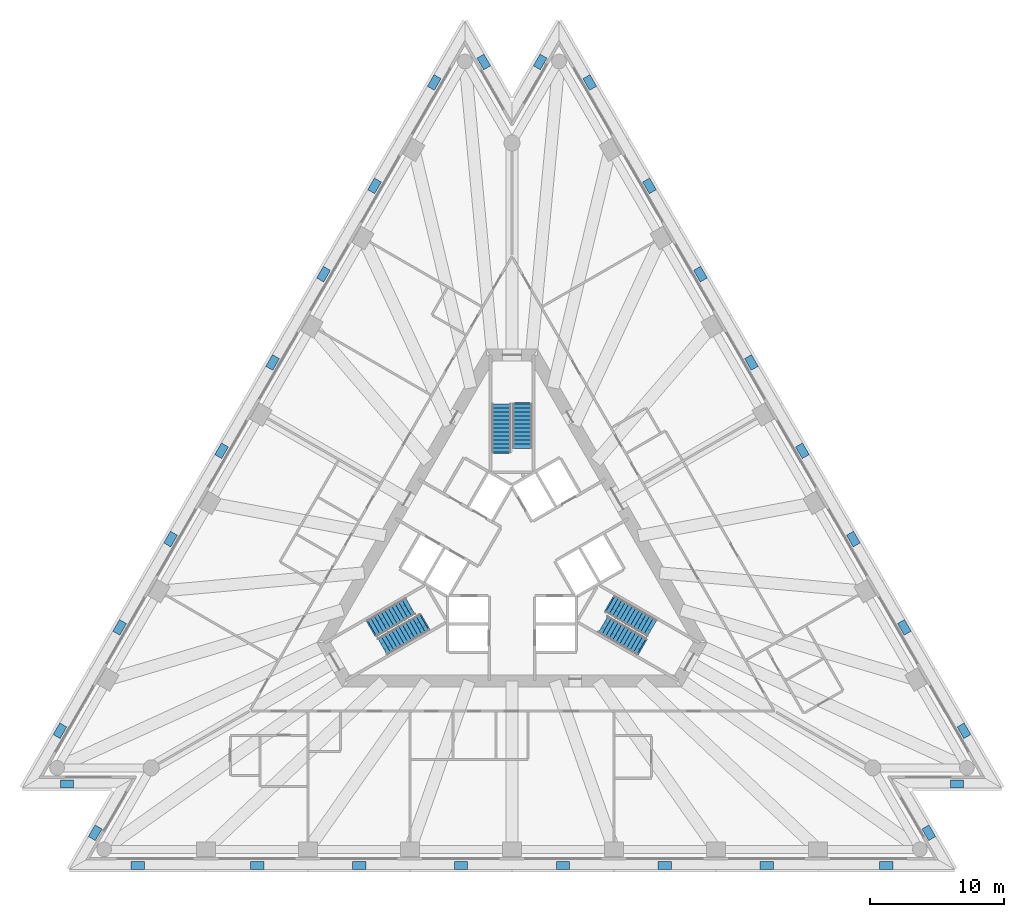
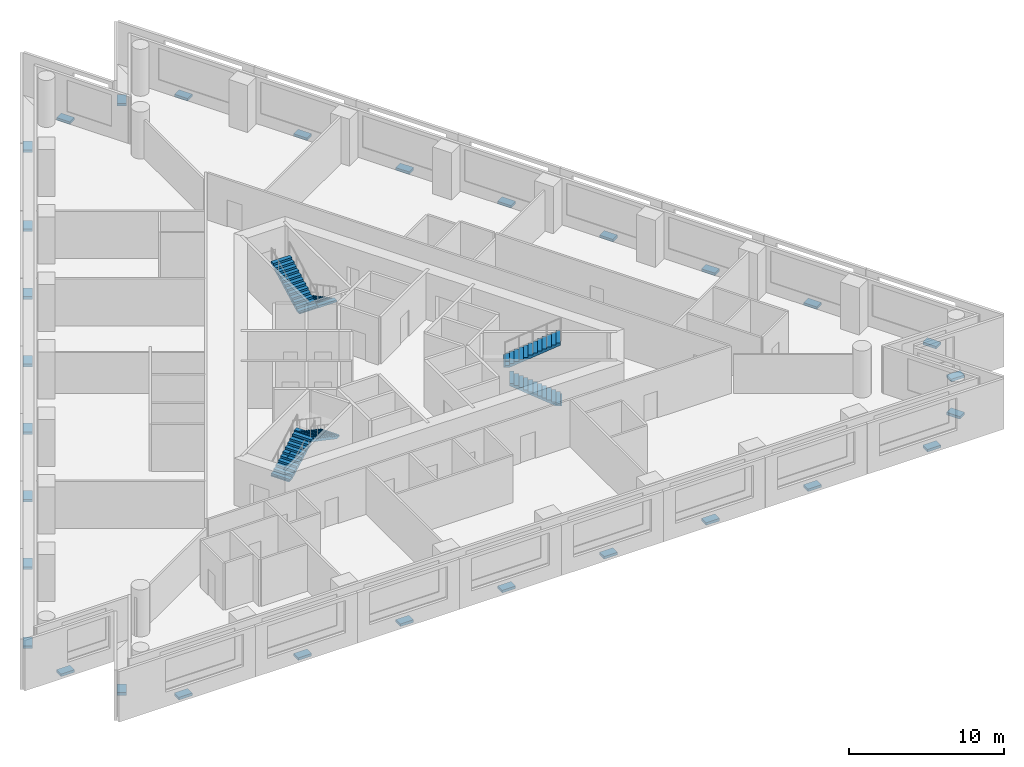
# One storey, part 9 of 11: 30 discrete accessories, 6 stair flights, 3 elements without a shape of their own.
"""IFC4 building model written with IfcOpenShell, lengths in metres."""

from ifc_helpers import new_model, si_unit, direction, frame, origin, origin_2d, place, context, subcontext, project, spatial, polyline, rectangle, outline, extrude, material, type_object, element, aggregate, save


model = new_model("IFC4")

# Units and contexts
model_context = context("Model", 3, precision=1e-05, world=origin(), true_north=direction((0.0, 1.0)))
body_context = subcontext(model_context, "Body", "Model", "MODEL_VIEW")
ifc_project = project(units=[si_unit("LENGTHUNIT", "METRE"), si_unit("AREAUNIT", "SQUARE_METRE"), si_unit("VOLUMEUNIT", "CUBIC_METRE"), si_unit("PLANEANGLEUNIT", "RADIAN"), si_unit("MASSUNIT", "GRAM", prefix="KILO")], contexts=[model_context])

# Site, building, storey
site_placement = place(None, origin())
site = spatial("IfcSite", under=ifc_project, at=site_placement, CompositionType="ELEMENT")
building_placement = place(site_placement, origin())
building = spatial("IfcBuilding", under=site, at=building_placement, Name="Triada Interchange Tower", CompositionType="ELEMENT")
storey_placement = place(building_placement, frame((0.0, 0.0, 39.300048828125)))
storey = spatial("IfcBuildingStorey", under=building, at=storey_placement, Name="L07", CompositionType="ELEMENT", Elevation=39.300048828125)

# Stair, stair flights
ifc_material_1 = material(Name="Concrete C35/45", Category="concrete")
stair_type = type_object("IfcStairType", Name="HALF TURN STAIR 1400", PredefinedType="HALF_TURN_STAIR", material=ifc_material_1)
stair_1_placement = place(storey_placement, origin())
stair_1 = element("IfcStair", 1, at=stair_1_placement, inside=storey, type_object=stair_type, Name="Exit stair S06-1", PredefinedType="HALF_TURN_STAIR")
stair_flight_type = type_object("IfcStairFlightType", Name="STRAIGHT STAIR FLIGHT 1400", PredefinedType="STRAIGHT", material=ifc_material_1)
stair_flight_1_placement = place(storey_placement, frame((0.800048828125, 11.60009765625, 0.0), z_axis=(0.0, 0.0, 1.0), x_axis=(0.0, -1.0, 0.0)))
stair_flight_1 = element("IfcStairFlight", 2, at=stair_flight_1_placement, type_object=stair_flight_type, Name="S06-1 flight 1", NumberOfRisers=12, NumberOfTreads=11, PredefinedType="STRAIGHT", RiserHeight=0.16, TreadLength=0.3, context=body_context, shape_type="SweptSolid", body=[
    extrude(outline(polyline([(-0.10009765625, 0.0), (-0.10009765625, 0.02001953125), (0.0, 0.02001953125), (0.0, 0.159912109375), (0.300048828125, 0.159912109375), (0.300048828125, 0.320068359375), (0.60009765625, 0.320068359375), (0.60009765625, 0.47998046875), (0.89990234375, 0.47998046875), (0.89990234375, 0.639892578125), (1.199951171875, 0.639892578125), (1.199951171875, 0.800048828125), (1.5, 0.800048828125), (1.5, 0.9599609375), (1.800048828125, 0.9599609375), (1.800048828125, 1.1201171875), (2.10009765625, 1.1201171875), (2.10009765625, 1.280029296875), (2.39990234375, 1.280029296875), (2.39990234375, 1.43994140625), (2.699951171875, 1.43994140625), (2.699951171875, 1.60009765625), (3.0, 1.60009765625), (3.0, 1.760009765625), (3.300048828125, 1.760009765625), (3.303955078125, 1.760009765625), (3.303955078125, 1.919921875), (3.303955078125, 1.590087890625), (0.318603515625, 0.0), (-0.10009765625, 0.0)])), frame((0.0, 0.699951171875, 0.0), z_axis=(0.0, -1.0, 0.0), x_axis=(1.0, 0.0, 0.0)), (0.0, 0.0, 1.0), 0.46533203125),
    extrude(outline(polyline([(-0.10009765625, 0.0), (-0.10009765625, 0.02001953125), (0.0, 0.02001953125), (0.0, 0.159912109375), (0.300048828125, 0.159912109375), (0.300048828125, 0.320068359375), (0.60009765625, 0.320068359375), (0.60009765625, 0.47998046875), (0.89990234375, 0.47998046875), (0.89990234375, 0.639892578125), (1.199951171875, 0.639892578125), (1.199951171875, 0.800048828125), (1.5, 0.800048828125), (1.5, 0.9599609375), (1.800048828125, 0.9599609375), (1.800048828125, 1.1201171875), (2.10009765625, 1.1201171875), (2.10009765625, 1.280029296875), (2.39990234375, 1.280029296875), (2.39990234375, 1.43994140625), (2.699951171875, 1.43994140625), (2.699951171875, 1.60009765625), (3.0, 1.60009765625), (3.0, 1.760009765625), (3.300048828125, 1.760009765625), (3.303955078125, 1.760009765625), (3.303955078125, 1.919921875), (3.303955078125, 1.590087890625), (0.318603515625, 0.0), (-0.10009765625, 0.0)])), frame((0.0, 0.232666015625, 0.0), z_axis=(0.0, -1.0, 0.0), x_axis=(1.0, 0.0, 0.0)), (0.0, 0.0, 1.0), 0.46533203125),
    extrude(outline(polyline([(-0.10009765625, 0.0), (-0.10009765625, 0.02001953125), (0.0, 0.02001953125), (0.0, 0.159912109375), (0.300048828125, 0.159912109375), (0.300048828125, 0.320068359375), (0.60009765625, 0.320068359375), (0.60009765625, 0.47998046875), (0.89990234375, 0.47998046875), (0.89990234375, 0.639892578125), (1.199951171875, 0.639892578125), (1.199951171875, 0.800048828125), (1.5, 0.800048828125), (1.5, 0.9599609375), (1.800048828125, 0.9599609375), (1.800048828125, 1.1201171875), (2.10009765625, 1.1201171875), (2.10009765625, 1.280029296875), (2.39990234375, 1.280029296875), (2.39990234375, 1.43994140625), (2.699951171875, 1.43994140625), (2.699951171875, 1.60009765625), (3.0, 1.60009765625), (3.0, 1.760009765625), (3.300048828125, 1.760009765625), (3.303955078125, 1.760009765625), (3.303955078125, 1.919921875), (3.303955078125, 1.590087890625), (0.318603515625, 0.0), (-0.10009765625, 0.0)])), frame((0.0, -0.234619140625, 0.0), z_axis=(0.0, -1.0, 0.0), x_axis=(1.0, 0.0, 0.0)), (0.0, 0.0, 1.0), 0.46533203125),
])
stair_flight_2_placement = place(storey_placement, frame((-0.800048828125, 8.0, 1.919921875), z_axis=(0.0, 0.0, 1.0), x_axis=(0.0, 1.0, 0.0)))
stair_flight_2 = element("IfcStairFlight", 3, at=stair_flight_2_placement, type_object=stair_flight_type, Name="S06-1 flight 2", NumberOfRisers=13, NumberOfTreads=12, PredefinedType="STRAIGHT", RiserHeight=0.16, TreadLength=0.3, context=body_context, shape_type="SweptSolid", body=[
    extrude(outline(polyline([(-0.10009765625, 0.0), (-0.10009765625, 0.02001953125), (0.0, 0.02001953125), (0.0, 0.159912109375), (0.300048828125, 0.159912109375), (0.300048828125, 0.320068359375), (0.60009765625, 0.320068359375), (0.60009765625, 0.47998046875), (0.89990234375, 0.47998046875), (0.89990234375, 0.639892578125), (1.199951171875, 0.639892578125), (1.199951171875, 0.800048828125), (1.5, 0.800048828125), (1.5, 0.9599609375), (1.800048828125, 0.9599609375), (1.800048828125, 1.1201171875), (2.10009765625, 1.1201171875), (2.10009765625, 1.280029296875), (2.39990234375, 1.280029296875), (2.39990234375, 1.43994140625), (2.699951171875, 1.43994140625), (2.699951171875, 1.60009765625), (3.0, 1.60009765625), (3.0, 1.760009765625), (3.300048828125, 1.760009765625), (3.300048828125, 1.919921875), (3.60009765625, 1.919921875), (3.60400390625, 1.919921875), (3.60400390625, 2.080078125), (3.60400390625, 1.75), (0.318603515625, 0.0), (-0.10009765625, 0.0)])), frame((0.0, 0.699951171875, 0.0), z_axis=(0.0, -1.0, 0.0), x_axis=(1.0, 0.0, 0.0)), (0.0, 0.0, 1.0), 0.46533203125),
    extrude(outline(polyline([(-0.10009765625, 0.0), (-0.10009765625, 0.02001953125), (0.0, 0.02001953125), (0.0, 0.159912109375), (0.300048828125, 0.159912109375), (0.300048828125, 0.320068359375), (0.60009765625, 0.320068359375), (0.60009765625, 0.47998046875), (0.89990234375, 0.47998046875), (0.89990234375, 0.639892578125), (1.199951171875, 0.639892578125), (1.199951171875, 0.800048828125), (1.5, 0.800048828125), (1.5, 0.9599609375), (1.800048828125, 0.9599609375), (1.800048828125, 1.1201171875), (2.10009765625, 1.1201171875), (2.10009765625, 1.280029296875), (2.39990234375, 1.280029296875), (2.39990234375, 1.43994140625), (2.699951171875, 1.43994140625), (2.699951171875, 1.60009765625), (3.0, 1.60009765625), (3.0, 1.760009765625), (3.300048828125, 1.760009765625), (3.300048828125, 1.919921875), (3.60009765625, 1.919921875), (3.60400390625, 1.919921875), (3.60400390625, 2.080078125), (3.60400390625, 1.75), (0.318603515625, 0.0), (-0.10009765625, 0.0)])), frame((0.0, 0.232666015625, 0.0), z_axis=(0.0, -1.0, 0.0), x_axis=(1.0, 0.0, 0.0)), (0.0, 0.0, 1.0), 0.46533203125),
    extrude(outline(polyline([(-0.10009765625, 0.0), (-0.10009765625, 0.02001953125), (0.0, 0.02001953125), (0.0, 0.159912109375), (0.300048828125, 0.159912109375), (0.300048828125, 0.320068359375), (0.60009765625, 0.320068359375), (0.60009765625, 0.47998046875), (0.89990234375, 0.47998046875), (0.89990234375, 0.639892578125), (1.199951171875, 0.639892578125), (1.199951171875, 0.800048828125), (1.5, 0.800048828125), (1.5, 0.9599609375), (1.800048828125, 0.9599609375), (1.800048828125, 1.1201171875), (2.10009765625, 1.1201171875), (2.10009765625, 1.280029296875), (2.39990234375, 1.280029296875), (2.39990234375, 1.43994140625), (2.699951171875, 1.43994140625), (2.699951171875, 1.60009765625), (3.0, 1.60009765625), (3.0, 1.760009765625), (3.300048828125, 1.760009765625), (3.300048828125, 1.919921875), (3.60009765625, 1.919921875), (3.60400390625, 1.919921875), (3.60400390625, 2.080078125), (3.60400390625, 1.75), (0.318603515625, 0.0), (-0.10009765625, 0.0)])), frame((0.0, -0.234619140625, 0.0), z_axis=(0.0, -1.0, 0.0), x_axis=(1.0, 0.0, 0.0)), (0.0, 0.0, 1.0), 0.46533203125),
])
aggregate(stair_1, [stair_flight_1, stair_flight_2])

stair_2_placement = place(storey_placement, origin())
stair_2 = element("IfcStair", 4, at=stair_2_placement, inside=storey, type_object=stair_type, Name="Exit stair S06-2", PredefinedType="HALF_TURN_STAIR")
stair_flight_3_placement = place(storey_placement, frame((-10.446044921875, -5.10693359375, 0.0), z_axis=(0.0, 0.0, 1.0), x_axis=(0.866025403784, 0.5, 0.0)))
stair_flight_3 = element("IfcStairFlight", 5, at=stair_flight_3_placement, type_object=stair_flight_type, Name="S06-2 flight 1", NumberOfRisers=12, NumberOfTreads=11, PredefinedType="STRAIGHT", RiserHeight=0.16, TreadLength=0.3, context=body_context, shape_type="SweptSolid", body=[
    extrude(outline(polyline([(-0.10009765625, 0.0), (-0.10009765625, 0.02001953125), (0.0, 0.02001953125), (0.0, 0.159912109375), (0.300048828125, 0.159912109375), (0.300048828125, 0.320068359375), (0.60009765625, 0.320068359375), (0.60009765625, 0.47998046875), (0.89990234375, 0.47998046875), (0.89990234375, 0.639892578125), (1.199951171875, 0.639892578125), (1.199951171875, 0.800048828125), (1.5, 0.800048828125), (1.5, 0.9599609375), (1.800048828125, 0.9599609375), (1.800048828125, 1.1201171875), (2.10009765625, 1.1201171875), (2.10009765625, 1.280029296875), (2.39990234375, 1.280029296875), (2.39990234375, 1.43994140625), (2.699951171875, 1.43994140625), (2.699951171875, 1.60009765625), (3.0, 1.60009765625), (3.0, 1.760009765625), (3.300048828125, 1.760009765625), (3.303955078125, 1.760009765625), (3.303955078125, 1.919921875), (3.303955078125, 1.590087890625), (0.318603515625, 0.0), (-0.10009765625, 0.0)])), frame((0.0, 0.699951171875, 0.0), z_axis=(0.0, -1.0, 0.0), x_axis=(1.0, 0.0, 0.0)), (0.0, 0.0, 1.0), 0.46533203125),
    extrude(outline(polyline([(-0.10009765625, 0.0), (-0.10009765625, 0.02001953125), (0.0, 0.02001953125), (0.0, 0.159912109375), (0.300048828125, 0.159912109375), (0.300048828125, 0.320068359375), (0.60009765625, 0.320068359375), (0.60009765625, 0.47998046875), (0.89990234375, 0.47998046875), (0.89990234375, 0.639892578125), (1.199951171875, 0.639892578125), (1.199951171875, 0.800048828125), (1.5, 0.800048828125), (1.5, 0.9599609375), (1.800048828125, 0.9599609375), (1.800048828125, 1.1201171875), (2.10009765625, 1.1201171875), (2.10009765625, 1.280029296875), (2.39990234375, 1.280029296875), (2.39990234375, 1.43994140625), (2.699951171875, 1.43994140625), (2.699951171875, 1.60009765625), (3.0, 1.60009765625), (3.0, 1.760009765625), (3.300048828125, 1.760009765625), (3.303955078125, 1.760009765625), (3.303955078125, 1.919921875), (3.303955078125, 1.590087890625), (0.318603515625, 0.0), (-0.10009765625, 0.0)])), frame((0.0, 0.232666015625, 0.0), z_axis=(0.0, -1.0, 0.0), x_axis=(1.0, 0.0, 0.0)), (0.0, 0.0, 1.0), 0.46533203125),
    extrude(outline(polyline([(-0.10009765625, 0.0), (-0.10009765625, 0.02001953125), (0.0, 0.02001953125), (0.0, 0.159912109375), (0.300048828125, 0.159912109375), (0.300048828125, 0.320068359375), (0.60009765625, 0.320068359375), (0.60009765625, 0.47998046875), (0.89990234375, 0.47998046875), (0.89990234375, 0.639892578125), (1.199951171875, 0.639892578125), (1.199951171875, 0.800048828125), (1.5, 0.800048828125), (1.5, 0.9599609375), (1.800048828125, 0.9599609375), (1.800048828125, 1.1201171875), (2.10009765625, 1.1201171875), (2.10009765625, 1.280029296875), (2.39990234375, 1.280029296875), (2.39990234375, 1.43994140625), (2.699951171875, 1.43994140625), (2.699951171875, 1.60009765625), (3.0, 1.60009765625), (3.0, 1.760009765625), (3.300048828125, 1.760009765625), (3.303955078125, 1.760009765625), (3.303955078125, 1.919921875), (3.303955078125, 1.590087890625), (0.318603515625, 0.0), (-0.10009765625, 0.0)])), frame((0.0, -0.234619140625, 0.0), z_axis=(0.0, -1.0, 0.0), x_axis=(1.0, 0.0, 0.0)), (0.0, 0.0, 1.0), 0.46533203125),
])
stair_flight_4_placement = place(storey_placement, frame((-6.528076171875, -4.693115234375, 1.919921875), z_axis=(0.0, 0.0, 1.0), x_axis=(-0.866025403784, -0.5, 0.0)))
stair_flight_4 = element("IfcStairFlight", 6, at=stair_flight_4_placement, type_object=stair_flight_type, Name="S06-2 flight 2", NumberOfRisers=13, NumberOfTreads=12, PredefinedType="STRAIGHT", RiserHeight=0.16, TreadLength=0.3, context=body_context, shape_type="SweptSolid", body=[
    extrude(outline(polyline([(-0.10009765625, 0.0), (-0.10009765625, 0.02001953125), (0.0, 0.02001953125), (0.0, 0.159912109375), (0.300048828125, 0.159912109375), (0.300048828125, 0.320068359375), (0.60009765625, 0.320068359375), (0.60009765625, 0.47998046875), (0.89990234375, 0.47998046875), (0.89990234375, 0.639892578125), (1.199951171875, 0.639892578125), (1.199951171875, 0.800048828125), (1.5, 0.800048828125), (1.5, 0.9599609375), (1.800048828125, 0.9599609375), (1.800048828125, 1.1201171875), (2.10009765625, 1.1201171875), (2.10009765625, 1.280029296875), (2.39990234375, 1.280029296875), (2.39990234375, 1.43994140625), (2.699951171875, 1.43994140625), (2.699951171875, 1.60009765625), (3.0, 1.60009765625), (3.0, 1.760009765625), (3.300048828125, 1.760009765625), (3.300048828125, 1.919921875), (3.60009765625, 1.919921875), (3.60400390625, 1.919921875), (3.60400390625, 2.080078125), (3.60400390625, 1.75), (0.318603515625, 0.0), (-0.10009765625, 0.0)])), frame((0.0, 0.699951171875, 0.0), z_axis=(0.0, -1.0, 0.0), x_axis=(1.0, 0.0, 0.0)), (0.0, 0.0, 1.0), 0.46533203125),
    extrude(outline(polyline([(-0.10009765625, 0.0), (-0.10009765625, 0.02001953125), (0.0, 0.02001953125), (0.0, 0.159912109375), (0.300048828125, 0.159912109375), (0.300048828125, 0.320068359375), (0.60009765625, 0.320068359375), (0.60009765625, 0.47998046875), (0.89990234375, 0.47998046875), (0.89990234375, 0.639892578125), (1.199951171875, 0.639892578125), (1.199951171875, 0.800048828125), (1.5, 0.800048828125), (1.5, 0.9599609375), (1.800048828125, 0.9599609375), (1.800048828125, 1.1201171875), (2.10009765625, 1.1201171875), (2.10009765625, 1.280029296875), (2.39990234375, 1.280029296875), (2.39990234375, 1.43994140625), (2.699951171875, 1.43994140625), (2.699951171875, 1.60009765625), (3.0, 1.60009765625), (3.0, 1.760009765625), (3.300048828125, 1.760009765625), (3.300048828125, 1.919921875), (3.60009765625, 1.919921875), (3.60400390625, 1.919921875), (3.60400390625, 2.080078125), (3.60400390625, 1.75), (0.318603515625, 0.0), (-0.10009765625, 0.0)])), frame((0.0, 0.232666015625, 0.0), z_axis=(0.0, -1.0, 0.0), x_axis=(1.0, 0.0, 0.0)), (0.0, 0.0, 1.0), 0.46533203125),
    extrude(outline(polyline([(-0.10009765625, 0.0), (-0.10009765625, 0.02001953125), (0.0, 0.02001953125), (0.0, 0.159912109375), (0.300048828125, 0.159912109375), (0.300048828125, 0.320068359375), (0.60009765625, 0.320068359375), (0.60009765625, 0.47998046875), (0.89990234375, 0.47998046875), (0.89990234375, 0.639892578125), (1.199951171875, 0.639892578125), (1.199951171875, 0.800048828125), (1.5, 0.800048828125), (1.5, 0.9599609375), (1.800048828125, 0.9599609375), (1.800048828125, 1.1201171875), (2.10009765625, 1.1201171875), (2.10009765625, 1.280029296875), (2.39990234375, 1.280029296875), (2.39990234375, 1.43994140625), (2.699951171875, 1.43994140625), (2.699951171875, 1.60009765625), (3.0, 1.60009765625), (3.0, 1.760009765625), (3.300048828125, 1.760009765625), (3.300048828125, 1.919921875), (3.60009765625, 1.919921875), (3.60400390625, 1.919921875), (3.60400390625, 2.080078125), (3.60400390625, 1.75), (0.318603515625, 0.0), (-0.10009765625, 0.0)])), frame((0.0, -0.234619140625, 0.0), z_axis=(0.0, -1.0, 0.0), x_axis=(1.0, 0.0, 0.0)), (0.0, 0.0, 1.0), 0.46533203125),
])
aggregate(stair_2, [stair_flight_3, stair_flight_4])

stair_3_placement = place(storey_placement, origin())
stair_3 = element("IfcStair", 7, at=stair_3_placement, inside=storey, type_object=stair_type, Name="Exit stair S06-3", PredefinedType="HALF_TURN_STAIR")
stair_flight_5_placement = place(storey_placement, frame((9.64599609375, -6.492919921875, 0.0), z_axis=(0.0, 0.0, 1.0), x_axis=(-0.866025403784, 0.5, 0.0)))
stair_flight_5 = element("IfcStairFlight", 8, at=stair_flight_5_placement, type_object=stair_flight_type, Name="S06-3 flight 1", NumberOfRisers=12, NumberOfTreads=11, PredefinedType="STRAIGHT", RiserHeight=0.16, TreadLength=0.3, context=body_context, shape_type="SweptSolid", body=[
    extrude(outline(polyline([(-0.10009765625, 0.0), (-0.10009765625, 0.02001953125), (0.0, 0.02001953125), (0.0, 0.159912109375), (0.300048828125, 0.159912109375), (0.300048828125, 0.320068359375), (0.60009765625, 0.320068359375), (0.60009765625, 0.47998046875), (0.89990234375, 0.47998046875), (0.89990234375, 0.639892578125), (1.199951171875, 0.639892578125), (1.199951171875, 0.800048828125), (1.5, 0.800048828125), (1.5, 0.9599609375), (1.800048828125, 0.9599609375), (1.800048828125, 1.1201171875), (2.10009765625, 1.1201171875), (2.10009765625, 1.280029296875), (2.39990234375, 1.280029296875), (2.39990234375, 1.43994140625), (2.699951171875, 1.43994140625), (2.699951171875, 1.60009765625), (3.0, 1.60009765625), (3.0, 1.760009765625), (3.300048828125, 1.760009765625), (3.303955078125, 1.760009765625), (3.303955078125, 1.919921875), (3.303955078125, 1.590087890625), (0.318603515625, 0.0), (-0.10009765625, 0.0)])), frame((0.0, 0.699951171875, 0.0), z_axis=(0.0, -1.0, 0.0), x_axis=(1.0, 0.0, 0.0)), (0.0, 0.0, 1.0), 0.46533203125),
    extrude(outline(polyline([(-0.10009765625, 0.0), (-0.10009765625, 0.02001953125), (0.0, 0.02001953125), (0.0, 0.159912109375), (0.300048828125, 0.159912109375), (0.300048828125, 0.320068359375), (0.60009765625, 0.320068359375), (0.60009765625, 0.47998046875), (0.89990234375, 0.47998046875), (0.89990234375, 0.639892578125), (1.199951171875, 0.639892578125), (1.199951171875, 0.800048828125), (1.5, 0.800048828125), (1.5, 0.9599609375), (1.800048828125, 0.9599609375), (1.800048828125, 1.1201171875), (2.10009765625, 1.1201171875), (2.10009765625, 1.280029296875), (2.39990234375, 1.280029296875), (2.39990234375, 1.43994140625), (2.699951171875, 1.43994140625), (2.699951171875, 1.60009765625), (3.0, 1.60009765625), (3.0, 1.760009765625), (3.300048828125, 1.760009765625), (3.303955078125, 1.760009765625), (3.303955078125, 1.919921875), (3.303955078125, 1.590087890625), (0.318603515625, 0.0), (-0.10009765625, 0.0)])), frame((0.0, 0.232666015625, 0.0), z_axis=(0.0, -1.0, 0.0), x_axis=(1.0, 0.0, 0.0)), (0.0, 0.0, 1.0), 0.46533203125),
    extrude(outline(polyline([(-0.10009765625, 0.0), (-0.10009765625, 0.02001953125), (0.0, 0.02001953125), (0.0, 0.159912109375), (0.300048828125, 0.159912109375), (0.300048828125, 0.320068359375), (0.60009765625, 0.320068359375), (0.60009765625, 0.47998046875), (0.89990234375, 0.47998046875), (0.89990234375, 0.639892578125), (1.199951171875, 0.639892578125), (1.199951171875, 0.800048828125), (1.5, 0.800048828125), (1.5, 0.9599609375), (1.800048828125, 0.9599609375), (1.800048828125, 1.1201171875), (2.10009765625, 1.1201171875), (2.10009765625, 1.280029296875), (2.39990234375, 1.280029296875), (2.39990234375, 1.43994140625), (2.699951171875, 1.43994140625), (2.699951171875, 1.60009765625), (3.0, 1.60009765625), (3.0, 1.760009765625), (3.300048828125, 1.760009765625), (3.303955078125, 1.760009765625), (3.303955078125, 1.919921875), (3.303955078125, 1.590087890625), (0.318603515625, 0.0), (-0.10009765625, 0.0)])), frame((0.0, -0.234619140625, 0.0), z_axis=(0.0, -1.0, 0.0), x_axis=(1.0, 0.0, 0.0)), (0.0, 0.0, 1.0), 0.46533203125),
])
stair_flight_6_placement = place(storey_placement, frame((7.327880859375, -3.306884765625, 1.919921875), z_axis=(0.0, 0.0, 1.0), x_axis=(0.866025403784, -0.5, 0.0)))
stair_flight_6 = element("IfcStairFlight", 9, at=stair_flight_6_placement, type_object=stair_flight_type, Name="S06-3 flight 2", NumberOfRisers=13, NumberOfTreads=12, PredefinedType="STRAIGHT", RiserHeight=0.16, TreadLength=0.3, context=body_context, shape_type="SweptSolid", body=[
    extrude(outline(polyline([(-0.10009765625, 0.0), (-0.10009765625, 0.02001953125), (0.0, 0.02001953125), (0.0, 0.159912109375), (0.300048828125, 0.159912109375), (0.300048828125, 0.320068359375), (0.60009765625, 0.320068359375), (0.60009765625, 0.47998046875), (0.89990234375, 0.47998046875), (0.89990234375, 0.639892578125), (1.199951171875, 0.639892578125), (1.199951171875, 0.800048828125), (1.5, 0.800048828125), (1.5, 0.9599609375), (1.800048828125, 0.9599609375), (1.800048828125, 1.1201171875), (2.10009765625, 1.1201171875), (2.10009765625, 1.280029296875), (2.39990234375, 1.280029296875), (2.39990234375, 1.43994140625), (2.699951171875, 1.43994140625), (2.699951171875, 1.60009765625), (3.0, 1.60009765625), (3.0, 1.760009765625), (3.300048828125, 1.760009765625), (3.300048828125, 1.919921875), (3.60009765625, 1.919921875), (3.60400390625, 1.919921875), (3.60400390625, 2.080078125), (3.60400390625, 1.75), (0.318603515625, 0.0), (-0.10009765625, 0.0)])), frame((0.0, 0.699951171875, 0.0), z_axis=(0.0, -1.0, 0.0), x_axis=(1.0, 0.0, 0.0)), (0.0, 0.0, 1.0), 0.46533203125),
    extrude(outline(polyline([(-0.10009765625, 0.0), (-0.10009765625, 0.02001953125), (0.0, 0.02001953125), (0.0, 0.159912109375), (0.300048828125, 0.159912109375), (0.300048828125, 0.320068359375), (0.60009765625, 0.320068359375), (0.60009765625, 0.47998046875), (0.89990234375, 0.47998046875), (0.89990234375, 0.639892578125), (1.199951171875, 0.639892578125), (1.199951171875, 0.800048828125), (1.5, 0.800048828125), (1.5, 0.9599609375), (1.800048828125, 0.9599609375), (1.800048828125, 1.1201171875), (2.10009765625, 1.1201171875), (2.10009765625, 1.280029296875), (2.39990234375, 1.280029296875), (2.39990234375, 1.43994140625), (2.699951171875, 1.43994140625), (2.699951171875, 1.60009765625), (3.0, 1.60009765625), (3.0, 1.760009765625), (3.300048828125, 1.760009765625), (3.300048828125, 1.919921875), (3.60009765625, 1.919921875), (3.60400390625, 1.919921875), (3.60400390625, 2.080078125), (3.60400390625, 1.75), (0.318603515625, 0.0), (-0.10009765625, 0.0)])), frame((0.0, 0.232666015625, 0.0), z_axis=(0.0, -1.0, 0.0), x_axis=(1.0, 0.0, 0.0)), (0.0, 0.0, 1.0), 0.46533203125),
    extrude(outline(polyline([(-0.10009765625, 0.0), (-0.10009765625, 0.02001953125), (0.0, 0.02001953125), (0.0, 0.159912109375), (0.300048828125, 0.159912109375), (0.300048828125, 0.320068359375), (0.60009765625, 0.320068359375), (0.60009765625, 0.47998046875), (0.89990234375, 0.47998046875), (0.89990234375, 0.639892578125), (1.199951171875, 0.639892578125), (1.199951171875, 0.800048828125), (1.5, 0.800048828125), (1.5, 0.9599609375), (1.800048828125, 0.9599609375), (1.800048828125, 1.1201171875), (2.10009765625, 1.1201171875), (2.10009765625, 1.280029296875), (2.39990234375, 1.280029296875), (2.39990234375, 1.43994140625), (2.699951171875, 1.43994140625), (2.699951171875, 1.60009765625), (3.0, 1.60009765625), (3.0, 1.760009765625), (3.300048828125, 1.760009765625), (3.300048828125, 1.919921875), (3.60009765625, 1.919921875), (3.60400390625, 1.919921875), (3.60400390625, 2.080078125), (3.60400390625, 1.75), (0.318603515625, 0.0), (-0.10009765625, 0.0)])), frame((0.0, -0.234619140625, 0.0), z_axis=(0.0, -1.0, 0.0), x_axis=(1.0, 0.0, 0.0)), (0.0, 0.0, 1.0), 0.46533203125),
])
aggregate(stair_3, [stair_flight_5, stair_flight_6])

# Discrete accessories
ifc_material_2 = material(Name="Steel S355", Category="steel")
discrete_accessory_type = type_object("IfcDiscreteAccessoryType", Name="Steel bracket outer skin", PredefinedType="BRACKET", material=ifc_material_2)
for number, where, z_axis, x_axis, name in (
    (10, (-5.797119140625, 35.55908203125, -0.27001953125), (0.0, 0.0, 1.0), (-0.866020918253, 0.500007769087, 0.0), "Bracket L07 01"),
    (11, (-10.24609375, 27.85302734375, -0.27001953125), (0.0, 0.0, 1.0), (-0.866020918253, 0.500007769087, 0.0), "Bracket L07 02"),
    (12, (-14.0458984375, 21.27197265625, -0.27001953125), (0.0, 0.0, 1.0), (-0.866020918253, 0.500007769087, 0.0), "Bracket L07 03"),
    (13, (-17.844970703125, 14.69091796875, -0.27001953125), (0.0, 0.0, 1.0), (-0.866020918253, 0.500007769087, 0.0), "Bracket L07 04"),
    (14, (-21.64501953125, 8.10888671875, -0.27001953125), (0.0, 0.0, 1.0), (-0.866020918253, 0.500007769087, 0.0), "Bracket L07 05"),
    (15, (-25.445068359375, 1.528076171875, -0.27001953125), (0.0, 0.0, 1.0), (-0.866020918253, 0.500007769087, 0.0), "Bracket L07 06"),
    (16, (-29.2451171875, -5.052978515625, -0.27001953125), (0.0, 0.0, 1.0), (-0.866020918253, 0.500007769087, 0.0), "Bracket L07 07"),
    (17, (-33.694091796875, -12.759033203125, -0.27001953125), (0.0, 0.0, 1.0), (-0.866020918253, 0.500007769087, 0.0), "Bracket L07 08"),
    (18, (-33.1689453125, -16.72509765625, -0.27001953125), (0.0, 0.0, 1.0), (0.0, -1.0, 0.0), "Bracket L07 09"),
    (19, (-31.068115234375, -20.363037109375, -0.27001953125), (0.0, 0.0, 1.0), (-0.866050273655, 0.499956921647, 0.0), "Bracket L07 10"),
    (20, (-27.89599609375, -22.800048828125, -0.27001953125), (0.0, 0.0, 1.0), (0.0, -1.0, 0.0), "Bracket L07 11"),
    (21, (-18.998046875, -22.800048828125, -0.27001953125), (0.0, 0.0, 1.0), (0.0, -1.0, 0.0), "Bracket L07 12"),
    (22, (-11.39892578125, -22.800048828125, -0.27001953125), (0.0, 0.0, 1.0), (0.0, -1.0, 0.0), "Bracket L07 13"),
    (23, (-3.800048828125, -22.800048828125, -0.27001953125), (0.0, 0.0, 1.0), (0.0, -1.0, 0.0), "Bracket L07 14"),
    (24, (3.800048828125, -22.800048828125, -0.27001953125), (0.0, 0.0, 1.0), (0.0, -1.0, 0.0), "Bracket L07 15"),
    (25, (11.39892578125, -22.800048828125, -0.27001953125), (0.0, 0.0, 1.0), (0.0, -1.0, 0.0), "Bracket L07 16"),
    (26, (18.998046875, -22.800048828125, -0.27001953125), (0.0, 0.0, 1.0), (0.0, -1.0, 0.0), "Bracket L07 17"),
    (27, (27.89599609375, -22.800048828125, -0.27001953125), (0.0, 0.0, 1.0), (0.0, -1.0, 0.0), "Bracket L07 18"),
    (28, (31.068115234375, -20.363037109375, -0.27001953125), (0.0, 0.0, 1.0), (0.866050273655, 0.499956921647, 0.0), "Bracket L07 19"),
    (29, (33.1689453125, -16.72509765625, -0.27001953125), (0.0, 0.0, 1.0), (0.0, -1.0, 0.0), "Bracket L07 20"),
    (30, (33.694091796875, -12.759033203125, -0.27001953125), (0.0, 0.0, 1.0), (0.866020918253, 0.500007769087, 0.0), "Bracket L07 21"),
    (31, (29.2451171875, -5.052978515625, -0.27001953125), (0.0, 0.0, 1.0), (0.866020918253, 0.500007769087, 0.0), "Bracket L07 22"),
    (32, (25.445068359375, 1.528076171875, -0.27001953125), (0.0, 0.0, 1.0), (0.866020918253, 0.500007769087, 0.0), "Bracket L07 23"),
    (33, (21.64501953125, 8.10888671875, -0.27001953125), (0.0, 0.0, 1.0), (0.866020918253, 0.500007769087, 0.0), "Bracket L07 24"),
    (34, (17.844970703125, 14.69091796875, -0.27001953125), (0.0, 0.0, 1.0), (0.866020918253, 0.500007769087, 0.0), "Bracket L07 25"),
    (35, (14.0458984375, 21.27197265625, -0.27001953125), (0.0, 0.0, 1.0), (0.866020918253, 0.500007769087, 0.0), "Bracket L07 26"),
    (36, (10.24609375, 27.85302734375, -0.27001953125), (0.0, 0.0, 1.0), (0.866020918253, 0.500007769087, 0.0), "Bracket L07 27"),
    (37, (5.797119140625, 35.55908203125, -0.27001953125), (0.0, 0.0, 1.0), (0.866020918253, 0.500007769087, 0.0), "Bracket L07 28"),
    (38, (2.10009765625, 37.087890625, -0.27001953125), (0.0, 0.0, 1.0), (-0.866050273655, 0.499956921647, 0.0), "Bracket L07 29"),
    (39, (-2.10009765625, 37.087890625, -0.27001953125), (0.0, 0.0, 1.0), (0.866050273655, 0.499956921647, 0.0), "Bracket L07 30"),
):
    element("IfcDiscreteAccessory", number, at=place(storey_placement, frame(where, z_axis=z_axis, x_axis=x_axis)), inside=storey, type_object=discrete_accessory_type, Name=name, PredefinedType="BRACKET", context=body_context, shape_type="SweptSolid", body=[
        extrude(rectangle(XDim=0.60009765625, YDim=1.0, at=origin_2d()), origin(), (0.0, 0.0, 1.0), 0.199951171875),
    ])

save(model, "model.ifc")
